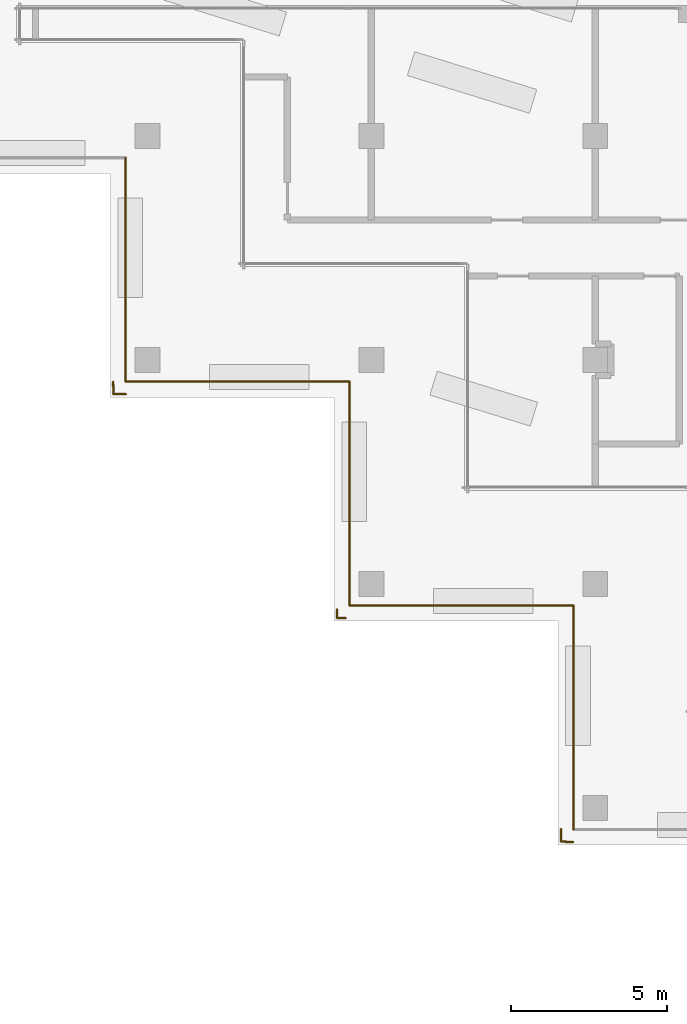
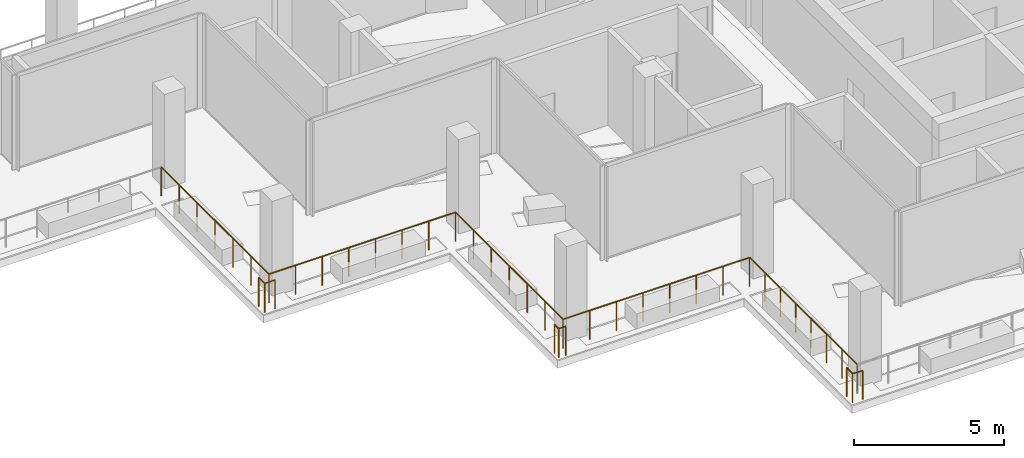
# One storey, part 12 of 20: 11 railings.
"""IFC4 building model written with IfcOpenShell, lengths in metres."""

from ifc_helpers import new_model, si_unit, direction, frame, origin, origin_2d, place, context, subcontext, project, spatial, circle, extrude, material, type_object, element, save


model = new_model("IFC4")

# Units and contexts
model_context = context("Model", 3, precision=1e-05, world=origin(), true_north=direction((0.0, 1.0)))
body_context = subcontext(model_context, "Body", "Model", "MODEL_VIEW")
ifc_project = project(units=[si_unit("LENGTHUNIT", "METRE"), si_unit("AREAUNIT", "SQUARE_METRE"), si_unit("VOLUMEUNIT", "CUBIC_METRE"), si_unit("PLANEANGLEUNIT", "RADIAN"), si_unit("MASSUNIT", "GRAM", prefix="KILO")], contexts=[model_context])

# Site, building, storey
site_placement = place(None, origin())
site = spatial("IfcSite", under=ifc_project, at=site_placement, CompositionType="ELEMENT")
building_placement = place(site_placement, origin())
building = spatial("IfcBuilding", under=site, at=building_placement, Name="Windrow Commons", CompositionType="ELEMENT")
storey_placement = place(building_placement, frame((0.0, 0.0, 239.6)))
storey = spatial("IfcBuildingStorey", under=building, at=storey_placement, Name="L65", CompositionType="ELEMENT", Elevation=239.6)

# Railings
ifc_material = material(Name="Stainless steel S316 balustrade with toughened glass infill", Category="steel")
railing_type = type_object("IfcRailingType", Name="Terrace guard 1200 podium", PredefinedType="BALUSTRADE", material=ifc_material)
railing_1_placement = place(storey_placement, frame((49.7, 42.5, 0.05)))
element("IfcRailing", 1, at=railing_1_placement, inside=storey, type_object=railing_type, Name="Guard TR-L65-1.E2", PredefinedType="BALUSTRADE", context=body_context, shape_type="SweptSolid", body=[
    extrude(circle(Radius=0.025, at=origin_2d()), frame((0.0, 0.0, 1.175), z_axis=(0.0, 1.0, 0.0), x_axis=(-1.0, 0.0, 0.0)), (0.0, 0.0, 1.0), 7.2),
    extrude(circle(Radius=0.02, at=origin_2d()), origin(), (0.0, 0.0, 1.0), 1.15),
    extrude(circle(Radius=0.02, at=origin_2d()), frame((0.0, 1.0286, 0.0)), (0.0, 0.0, 1.0), 1.15),
    extrude(circle(Radius=0.02, at=origin_2d()), frame((0.0, 2.0571, 0.0)), (0.0, 0.0, 1.0), 1.15),
    extrude(circle(Radius=0.02, at=origin_2d()), frame((0.0, 3.0857, 0.0)), (0.0, 0.0, 1.0), 1.15),
    extrude(circle(Radius=0.02, at=origin_2d()), frame((0.0, 4.1143, 0.0)), (0.0, 0.0, 1.0), 1.15),
    extrude(circle(Radius=0.02, at=origin_2d()), frame((0.0, 5.1429, 0.0)), (0.0, 0.0, 1.0), 1.15),
    extrude(circle(Radius=0.02, at=origin_2d()), frame((0.0, 6.1714, 0.0)), (0.0, 0.0, 1.0), 1.15),
    extrude(circle(Radius=0.02, at=origin_2d()), frame((0.0, 7.2, 0.0)), (0.0, 0.0, 1.0), 1.15),
])
railing_2_placement = place(storey_placement, frame((49.7, 49.7, 0.05)))
element("IfcRailing", 2, at=railing_2_placement, inside=storey, type_object=railing_type, Name="Guard TR-L65-1.E3", PredefinedType="BALUSTRADE", context=body_context, shape_type="SweptSolid", body=[
    extrude(circle(Radius=0.025, at=origin_2d()), frame((0.0, 0.0, 1.175), z_axis=(-1.0, 0.0, 0.0), x_axis=(0.0, -1.0, 0.0)), (0.0, 0.0, 1.0), 7.2),
    extrude(circle(Radius=0.02, at=origin_2d()), origin(), (0.0, 0.0, 1.0), 1.15),
    extrude(circle(Radius=0.02, at=origin_2d()), frame((-1.0286, 0.0, 0.0)), (0.0, 0.0, 1.0), 1.15),
    extrude(circle(Radius=0.02, at=origin_2d()), frame((-2.0571, 0.0, 0.0)), (0.0, 0.0, 1.0), 1.15),
    extrude(circle(Radius=0.02, at=origin_2d()), frame((-3.0857, 0.0, 0.0)), (0.0, 0.0, 1.0), 1.15),
    extrude(circle(Radius=0.02, at=origin_2d()), frame((-4.1143, 0.0, 0.0)), (0.0, 0.0, 1.0), 1.15),
    extrude(circle(Radius=0.02, at=origin_2d()), frame((-5.1429, 0.0, 0.0)), (0.0, 0.0, 1.0), 1.15),
    extrude(circle(Radius=0.02, at=origin_2d()), frame((-6.1714, 0.0, 0.0)), (0.0, 0.0, 1.0), 1.15),
    extrude(circle(Radius=0.02, at=origin_2d()), frame((-7.2, 0.0, 0.0)), (0.0, 0.0, 1.0), 1.15),
])
railing_3_placement = place(storey_placement, frame((42.5, 49.7, 0.05)))
element("IfcRailing", 3, at=railing_3_placement, inside=storey, type_object=railing_type, Name="Guard TR-L65-1.E4", PredefinedType="BALUSTRADE", context=body_context, shape_type="SweptSolid", body=[
    extrude(circle(Radius=0.025, at=origin_2d()), frame((0.0, 0.0, 1.175), z_axis=(0.0, 1.0, 0.0), x_axis=(-1.0, 0.0, 0.0)), (0.0, 0.0, 1.0), 7.2),
    extrude(circle(Radius=0.02, at=origin_2d()), origin(), (0.0, 0.0, 1.0), 1.15),
    extrude(circle(Radius=0.02, at=origin_2d()), frame((0.0, 1.2, 0.0)), (0.0, 0.0, 1.0), 1.15),
    extrude(circle(Radius=0.02, at=origin_2d()), frame((0.0, 2.4, 0.0)), (0.0, 0.0, 1.0), 1.15),
    extrude(circle(Radius=0.02, at=origin_2d()), frame((0.0, 3.6, 0.0)), (0.0, 0.0, 1.0), 1.15),
    extrude(circle(Radius=0.02, at=origin_2d()), frame((0.0, 4.8, 0.0)), (0.0, 0.0, 1.0), 1.15),
    extrude(circle(Radius=0.02, at=origin_2d()), frame((0.0, 6.0, 0.0)), (0.0, 0.0, 1.0), 1.15),
    extrude(circle(Radius=0.02, at=origin_2d()), frame((0.0, 7.2, 0.0)), (0.0, 0.0, 1.0), 1.15),
])
railing_4_placement = place(storey_placement, frame((42.5, 56.9, 0.05)))
element("IfcRailing", 4, at=railing_4_placement, inside=storey, type_object=railing_type, Name="Guard TR-L65-1.E5", PredefinedType="BALUSTRADE", context=body_context, shape_type="SweptSolid", body=[
    extrude(circle(Radius=0.025, at=origin_2d()), frame((0.0, 0.0, 1.175), z_axis=(-1.0, 0.0, 0.0), x_axis=(0.0, -1.0, 0.0)), (0.0, 0.0, 1.0), 7.2),
    extrude(circle(Radius=0.02, at=origin_2d()), origin(), (0.0, 0.0, 1.0), 1.15),
    extrude(circle(Radius=0.02, at=origin_2d()), frame((-1.0286, 0.0, 0.0)), (0.0, 0.0, 1.0), 1.15),
    extrude(circle(Radius=0.02, at=origin_2d()), frame((-2.0571, 0.0, 0.0)), (0.0, 0.0, 1.0), 1.15),
    extrude(circle(Radius=0.02, at=origin_2d()), frame((-3.0857, 0.0, 0.0)), (0.0, 0.0, 1.0), 1.15),
    extrude(circle(Radius=0.02, at=origin_2d()), frame((-4.1143, 0.0, 0.0)), (0.0, 0.0, 1.0), 1.15),
    extrude(circle(Radius=0.02, at=origin_2d()), frame((-5.1429, 0.0, 0.0)), (0.0, 0.0, 1.0), 1.15),
    extrude(circle(Radius=0.02, at=origin_2d()), frame((-6.1714, 0.0, 0.0)), (0.0, 0.0, 1.0), 1.15),
    extrude(circle(Radius=0.02, at=origin_2d()), frame((-7.2, 0.0, 0.0)), (0.0, 0.0, 1.0), 1.15),
])
railing_5_placement = place(storey_placement, frame((35.3, 56.9, 0.05)))
element("IfcRailing", 5, at=railing_5_placement, inside=storey, type_object=railing_type, Name="Guard TR-L65-1.E6", PredefinedType="BALUSTRADE", context=body_context, shape_type="SweptSolid", body=[
    extrude(circle(Radius=0.025, at=origin_2d()), frame((0.0, 0.0, 1.175), z_axis=(0.0, 1.0, 0.0), x_axis=(-1.0, 0.0, 0.0)), (0.0, 0.0, 1.0), 7.2),
    extrude(circle(Radius=0.02, at=origin_2d()), origin(), (0.0, 0.0, 1.0), 1.15),
    extrude(circle(Radius=0.02, at=origin_2d()), frame((0.0, 1.2, 0.0)), (0.0, 0.0, 1.0), 1.15),
    extrude(circle(Radius=0.02, at=origin_2d()), frame((0.0, 2.4, 0.0)), (0.0, 0.0, 1.0), 1.15),
    extrude(circle(Radius=0.02, at=origin_2d()), frame((0.0, 3.6, 0.0)), (0.0, 0.0, 1.0), 1.15),
    extrude(circle(Radius=0.02, at=origin_2d()), frame((0.0, 4.8, 0.0)), (0.0, 0.0, 1.0), 1.15),
    extrude(circle(Radius=0.02, at=origin_2d()), frame((0.0, 6.0, 0.0)), (0.0, 0.0, 1.0), 1.15),
    extrude(circle(Radius=0.02, at=origin_2d()), frame((0.0, 7.2, 0.0)), (0.0, 0.0, 1.0), 1.15),
])
railing_6_placement = place(storey_placement, frame((35.31, 56.5, 0.05)))
element("IfcRailing", 6, at=railing_6_placement, inside=storey, type_object=railing_type, Name="Guard TR-L65-1.C228", PredefinedType="BALUSTRADE", context=body_context, shape_type="SweptSolid", body=[
    extrude(circle(Radius=0.025, at=origin_2d()), frame((0.0, 0.0, 1.175), z_axis=(-1.0, 0.0, 0.0), x_axis=(0.0, -1.0, 0.0)), (0.0, 0.0, 1.0), 0.4004),
    extrude(circle(Radius=0.02, at=origin_2d()), origin(), (0.0, 0.0, 1.0), 1.15),
    extrude(circle(Radius=0.02, at=origin_2d()), frame((-0.4004, 0.0, 0.0)), (0.0, 0.0, 1.0), 1.15),
])
railing_7_placement = place(storey_placement, frame((34.9096, 56.5, 0.05)))
element("IfcRailing", 7, at=railing_7_placement, inside=storey, type_object=railing_type, Name="Guard TR-L65-1.C229", PredefinedType="BALUSTRADE", context=body_context, shape_type="SweptSolid", body=[
    extrude(circle(Radius=0.025, at=origin_2d()), frame((0.0, 0.0, 1.175), z_axis=(-0.0245575865, 0.999698417, 0.0), x_axis=(-0.999698417, -0.0245575865, 0.0)), (0.0, 0.0, 1.0), 0.3909),
    extrude(circle(Radius=0.02, at=origin_2d()), origin(), (0.0, 0.0, 1.0), 1.15),
    extrude(circle(Radius=0.02, at=origin_2d()), frame((-0.0096, 0.3908, 0.0)), (0.0, 0.0, 1.0), 1.15),
])
railing_8_placement = place(storey_placement, frame((42.3717, 49.3, 0.05)))
element("IfcRailing", 8, at=railing_8_placement, inside=storey, type_object=railing_type, Name="Guard TR-L65-1.C230", PredefinedType="BALUSTRADE", context=body_context, shape_type="SweptSolid", body=[
    extrude(circle(Radius=0.025, at=origin_2d()), frame((0.0, 0.0, 1.175), z_axis=(-0.9999122315, 0.0132487451, 0.0), x_axis=(-0.0132487451, -0.9999122315, 0.0)), (0.0, 0.0, 1.0), 0.2717),
    extrude(circle(Radius=0.02, at=origin_2d()), origin(), (0.0, 0.0, 1.0), 1.15),
    extrude(circle(Radius=0.02, at=origin_2d()), frame((-0.2717, 0.0036, 0.0)), (0.0, 0.0, 1.0), 1.15),
])
railing_9_placement = place(storey_placement, frame((42.1, 49.3036, 0.05)))
element("IfcRailing", 9, at=railing_9_placement, inside=storey, type_object=railing_type, Name="Guard TR-L65-1.C231", PredefinedType="BALUSTRADE", context=body_context, shape_type="SweptSolid", body=[
    extrude(circle(Radius=0.025, at=origin_2d()), frame((0.0, 0.0, 1.175), z_axis=(0.0, 1.0, 0.0), x_axis=(-1.0, 0.0, 0.0)), (0.0, 0.0, 1.0), 0.2753),
    extrude(circle(Radius=0.02, at=origin_2d()), origin(), (0.0, 0.0, 1.0), 1.15),
    extrude(circle(Radius=0.02, at=origin_2d()), frame((0.0, 0.2753, 0.0)), (0.0, 0.0, 1.0), 1.15),
])
railing_10_placement = place(storey_placement, frame((49.6836, 42.1, 0.05)))
element("IfcRailing", 10, at=railing_10_placement, inside=storey, type_object=railing_type, Name="Guard TR-L65-1.C232", PredefinedType="BALUSTRADE", context=body_context, shape_type="SweptSolid", body=[
    extrude(circle(Radius=0.025, at=origin_2d()), frame((0.0, 0.0, 1.175), z_axis=(-0.9990309313, 0.0440136151, 0.0), x_axis=(-0.0440136151, -0.9990309313, 0.0)), (0.0, 0.0, 1.0), 0.384),
    extrude(circle(Radius=0.02, at=origin_2d()), origin(), (0.0, 0.0, 1.0), 1.15),
    extrude(circle(Radius=0.02, at=origin_2d()), frame((-0.3836, 0.0169, 0.0)), (0.0, 0.0, 1.0), 1.15),
])
railing_11_placement = place(storey_placement, frame((49.3, 42.1169, 0.05)))
element("IfcRailing", 11, at=railing_11_placement, inside=storey, type_object=railing_type, Name="Guard TR-L65-1.C233", PredefinedType="BALUSTRADE", context=body_context, shape_type="SweptSolid", body=[
    extrude(circle(Radius=0.025, at=origin_2d()), frame((0.0, 0.0, 1.175), z_axis=(0.0, 1.0, 0.0), x_axis=(-1.0, 0.0, 0.0)), (0.0, 0.0, 1.0), 0.4004),
    extrude(circle(Radius=0.02, at=origin_2d()), origin(), (0.0, 0.0, 1.0), 1.15),
    extrude(circle(Radius=0.02, at=origin_2d()), frame((0.0, 0.4004, 0.0)), (0.0, 0.0, 1.0), 1.15),
])

save(model, "model.ifc")
